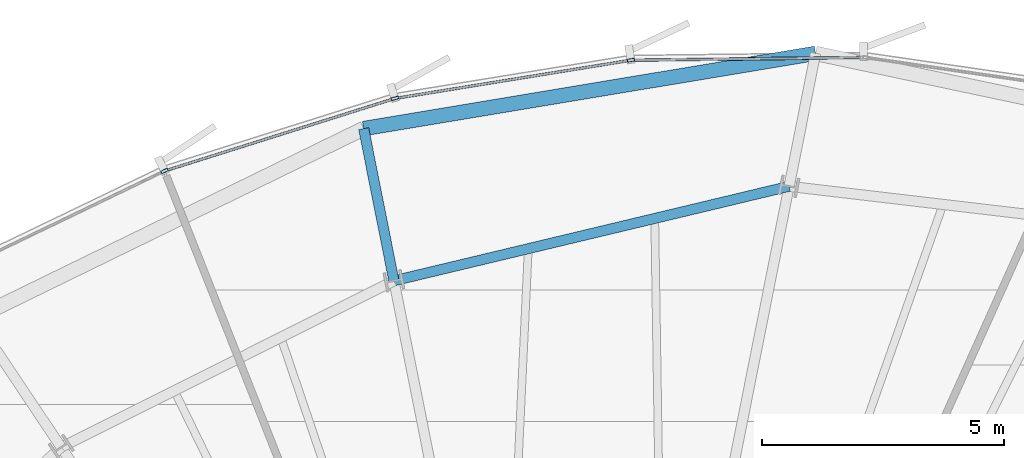
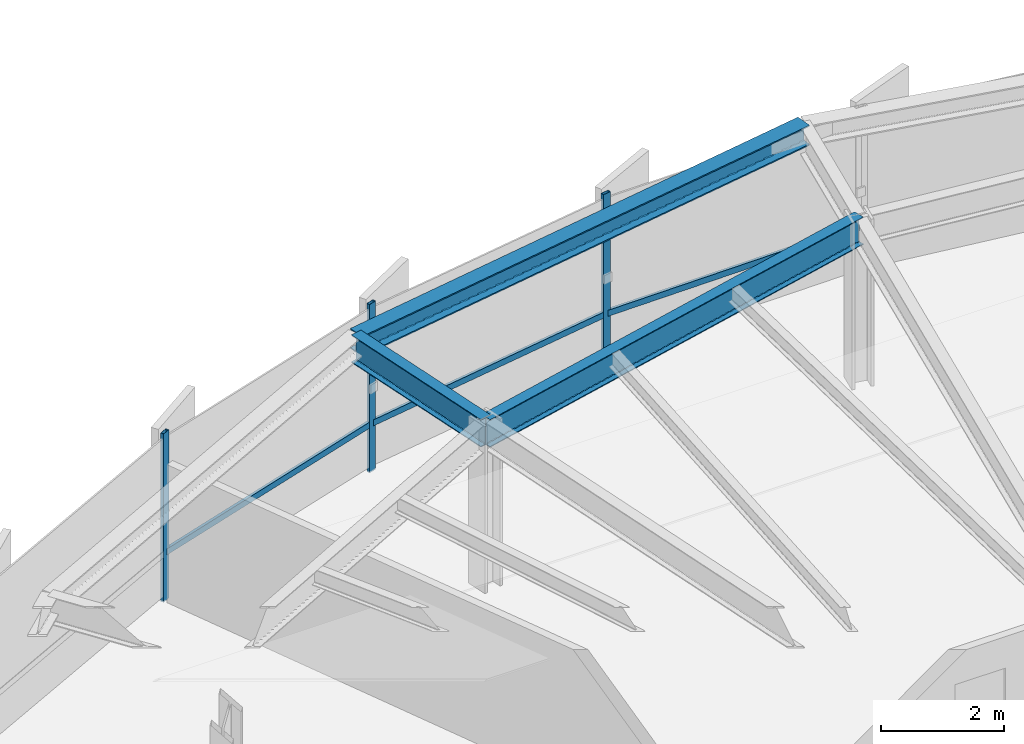
# One storey, part 21 of 35: 6 members, 3 beams, 1 element without a shape of its own.
"""IFC4 building model written with IfcOpenShell, lengths in metres."""

from ifc_helpers import new_model, si_unit, direction, frame, origin, origin_2d, place, context, subcontext, project, spatial, hollow_rectangle, i_section, extrude, source, transform, mapped, material, layer, layer_set, material_profile, profile_set, type_object, element, aggregate, save


model = new_model("IFC4")

# Units and contexts
model_context = context("Model", 3, precision=1e-05, world=origin(), true_north=direction((0.0, 1.0)))
body_context = subcontext(model_context, "Body", "Model", "MODEL_VIEW")
ifc_project = project(units=[si_unit("LENGTHUNIT", "METRE"), si_unit("AREAUNIT", "SQUARE_METRE"), si_unit("VOLUMEUNIT", "CUBIC_METRE"), si_unit("PLANEANGLEUNIT", "RADIAN"), si_unit("MASSUNIT", "GRAM", prefix="KILO"), si_unit("THERMODYNAMICTEMPERATUREUNIT", "KELVIN")], contexts=[model_context])

# Site, building, storey
site_placement = place(None, origin())
site = spatial("IfcSite", under=ifc_project, at=site_placement, CompositionType="ELEMENT")
building_placement = place(site_placement, origin())
building = spatial("IfcBuilding", under=site, at=building_placement, Name="Kethvar Cultural Tower", CompositionType="ELEMENT")
storey_placement = place(building_placement, frame((0.0, 0.0, 121.60009765625)))
storey = spatial("IfcBuildingStorey", under=building, at=storey_placement, Name="L30", CompositionType="ELEMENT", Elevation=121.60009765625)

# Beams
ifc_material_1 = material(Name="Steel S355J2", Category="steel")
ifc_material_profile_1 = material_profile(ifc_material_1, i_section(OverallWidth=0.2099609375, OverallDepth=0.550048828125, WebThickness=0.010986328125, FlangeThickness=0.01708984375, FilletRadius=0.02392578125, at=origin_2d()), Name="Steel S355J2 — IPE550")
ifc_profile_set_1 = profile_set([ifc_material_profile_1], Name="Steel S355J2 — IPE550")
beam_type_1 = type_object("IfcBeamType", Name="BM-IPE550", PredefinedType="BEAM", material=ifc_profile_set_1)
shared_shape_1 = source(origin(), body_context, "Body", "SweptSolid", [
    extrude(i_section(OverallWidth=0.2099609375, OverallDepth=0.550048828125, WebThickness=0.010986328125, FlangeThickness=0.01708984375, FilletRadius=0.02392578125, at=origin_2d()), origin(), (0.0, 0.0, 1.0), 3.199951171875),
])
beam_1_placement = place(storey_placement, frame((42.9189453125, 47.311279296875, 3.072998046875), z_axis=(-0.195088965533, 0.980785550224, 0.0), x_axis=(-0.980785550224, -0.195088965533, 0.0)))
element("IfcBeam", 1, at=beam_1_placement, inside=storey, type_object=beam_type_1, Name="L30 Perimeter Cantilever Beam RC-05", PredefinedType="BEAM", context=body_context, shape_type="MappedRepresentation", body=[
    mapped(shared_shape_1, transform((0.0, 0.0, 0.0), scale=1.0)),
])
shared_shape_2 = source(origin(), body_context, "Body", "SweptSolid", [
    extrude(i_section(OverallWidth=0.2099609375, OverallDepth=0.550048828125, WebThickness=0.010986328125, FlangeThickness=0.01708984375, FilletRadius=0.02392578125, at=origin_2d()), origin(), (0.0, 0.0, 1.0), 8.379150390625),
])
beam_2_placement = place(storey_placement, frame((51.068603515625, 49.25927734375, 3.072998046875), z_axis=(-0.972601380857, -0.232479147355, 0.0), x_axis=(0.232479147355, -0.972601380857, 0.0)))
element("IfcBeam", 2, at=beam_2_placement, inside=storey, type_object=beam_type_1, Name="L30 Column Ring Tie Beam CR-04", PredefinedType="BEAM", context=body_context, shape_type="MappedRepresentation", body=[
    mapped(shared_shape_2, transform((0.0, 0.0, 0.0), scale=1.0)),
])
ifc_material_profile_2 = material_profile(ifc_material_1, i_section(OverallWidth=0.300048828125, OverallDepth=0.39990234375, WebThickness=0.013427734375, FlangeThickness=0.02392578125, FilletRadius=0.027099609375, at=origin_2d()), Name="Steel S355J2 — HEB400")
ifc_profile_set_2 = profile_set([ifc_material_profile_2], Name="Steel S355J2 — HEB400")
beam_type_2 = type_object("IfcBeamType", Name="BM-SP400", PredefinedType="SPANDREL", material=ifc_profile_set_2)
shared_shape_3 = source(origin(), body_context, "Body", "SweptSolid", [
    extrude(i_section(OverallWidth=0.300048828125, OverallDepth=0.39990234375, WebThickness=0.013427734375, FlangeThickness=0.02392578125, FilletRadius=0.027099609375, at=origin_2d()), origin(), (0.0, 0.0, 1.0), 9.44775390625),
])
beam_3_placement = place(storey_placement, frame((51.614013671875, 52.00146484375, 3.14794921875), z_axis=(-0.986419055309, -0.164248127306, 0.0), x_axis=(0.164248127306, -0.986419055309, 0.0)))
element("IfcBeam", 3, at=beam_3_placement, inside=storey, type_object=beam_type_2, Name="L30 Perimeter Spandrel Beam SP-04", PredefinedType="SPANDREL", context=body_context, shape_type="MappedRepresentation", body=[
    mapped(shared_shape_3, transform((0.0, 0.0, 0.0), scale=1.0)),
])

# Curtain wall, members
ifc_material_2 = material(Name="Aluminium 6063-T6", Category="aluminium")
ifc_layer = layer(ifc_material_2, 0.179931640625, Name="Aluminium 6063-T6", Category="aluminium")
ifc_layer_set = layer_set([ifc_layer], Name="Aluminium 6063-T6 (180 mm)")
curtain_wall_type = type_object("IfcCurtainWallType", Name="CW-SYS-03-Z2", PredefinedType="NOTDEFINED", material=ifc_layer_set)
curtain_wall_placement = place(storey_placement, origin())
curtain_wall = element("IfcCurtainWall", 4, at=curtain_wall_placement, inside=storey, type_object=curtain_wall_type, Name="L30 Curtain Wall Run 02", PredefinedType="NOTDEFINED")
ifc_material_profile_3 = material_profile(ifc_material_2, hollow_rectangle(XDim=0.06005859375, YDim=0.14990234375, WallThickness=0.0048828125, at=origin_2d()), Name="Aluminium 6063-T6 — RHS150x60x5")
ifc_profile_set_3 = profile_set([ifc_material_profile_3], Name="Aluminium 6063-T6 — RHS150x60x5")
member_type_1 = type_object("IfcMemberType", Name="CW-SYS-03-Z2-MUL", PredefinedType="MULLION", material=ifc_profile_set_3)
shared_shape_4 = source(origin(), body_context, "Body", "SweptSolid", [
    extrude(hollow_rectangle(XDim=0.06005859375, YDim=0.14990234375, WallThickness=0.0048828125, at=origin_2d()), origin(), (0.0, 0.0, 1.0), 3.349853515625),
])
member_1_placement = place(storey_placement, frame((47.806396484375, 51.860595703125, 0.0), z_axis=(0.0, 0.0, 1.0), x_axis=(0.160070701302, -0.987105551896, 0.0)))
member_1 = element("IfcMember", 5, at=member_1_placement, type_object=member_type_1, Name="CW-L30-R02 Mullion 2", PredefinedType="MULLION", context=body_context, shape_type="MappedRepresentation", body=[
    mapped(shared_shape_4, transform((0.0, 0.0, 0.0), scale=1.0)),
])
member_2_placement = place(storey_placement, frame((42.93798828125, 51.072265625, 0.0), z_axis=(0.0, 0.0, 1.0), x_axis=(0.300655862589, -0.95373269436, 0.0)))
member_2 = element("IfcMember", 6, at=member_2_placement, type_object=member_type_1, Name="CW-L30-R02 Mullion 3", PredefinedType="MULLION", context=body_context, shape_type="MappedRepresentation", body=[
    mapped(shared_shape_4, transform((0.0, 0.0, 0.0), scale=1.0)),
])
member_3_placement = place(storey_placement, frame((38.187255859375, 49.57568359375, 0.0), z_axis=(0.0, 0.0, 1.0), x_axis=(0.433706264276, -0.90105431375, 0.0)))
member_3 = element("IfcMember", 7, at=member_3_placement, type_object=member_type_1, Name="CW-L30-R02 Mullion 4", PredefinedType="MULLION", context=body_context, shape_type="MappedRepresentation", body=[
    mapped(shared_shape_4, transform((0.0, 0.0, 0.0), scale=1.0)),
])
ifc_material_profile_4 = material_profile(ifc_material_2, hollow_rectangle(XDim=0.054931640625, YDim=0.1201171875, WallThickness=0.00390625, at=origin_2d()), Name="Aluminium 6063-T6 — RHS120x55x4")
ifc_profile_set_4 = profile_set([ifc_material_profile_4], Name="Aluminium 6063-T6 — RHS120x55x4")
member_type_2 = type_object("IfcMemberType", Name="CW-SYS-03-Z2-TRN", PredefinedType="USERDEFINED", material=ifc_profile_set_4)
shared_shape_5 = source(origin(), body_context, "Body", "SweptSolid", [
    extrude(hollow_rectangle(XDim=0.054931640625, YDim=0.1201171875, WallThickness=0.00390625, at=origin_2d()), origin(), (0.0, 0.0, 1.0), 4.768310546875),
])
member_4_placement = place(storey_placement, frame((52.600830078125, 51.916015625, 0.949951171875), z_axis=(-0.999930057055, -0.011827129707, 0.0), x_axis=(0.011827129707, -0.999930057055, 0.0)))
member_4 = element("IfcMember", 8, at=member_4_placement, type_object=member_type_2, Name="CW-L30-R02 Transom 1", ObjectType="TRANSOM", PredefinedType="USERDEFINED", context=body_context, shape_type="MappedRepresentation", body=[
    mapped(shared_shape_5, transform((0.0, 0.0, 0.0), scale=1.0)),
])
shared_shape_6 = source(origin(), body_context, "Body", "SweptSolid", [
    extrude(hollow_rectangle(XDim=0.054931640625, YDim=0.1201171875, WallThickness=0.00390625, at=origin_2d()), origin(), (0.0, 0.0, 1.0), 4.862060546875),
])
member_5_placement = place(storey_placement, frame((47.763916015625, 51.853515625, 0.949951171875), z_axis=(-0.9871037622, -0.160081737404, 0.0), x_axis=(0.160081737404, -0.9871037622, 0.0)))
member_5 = element("IfcMember", 9, at=member_5_placement, type_object=member_type_2, Name="CW-L30-R02 Transom 2", ObjectType="TRANSOM", PredefinedType="USERDEFINED", context=body_context, shape_type="MappedRepresentation", body=[
    mapped(shared_shape_6, transform((0.0, 0.0, 0.0), scale=1.0)),
])
shared_shape_7 = source(origin(), body_context, "Body", "SweptSolid", [
    extrude(hollow_rectangle(XDim=0.054931640625, YDim=0.1201171875, WallThickness=0.00390625, at=origin_2d()), origin(), (0.0, 0.0, 1.0), 4.910888671875),
])
member_6_placement = place(storey_placement, frame((42.89697265625, 51.05908203125, 0.949951171875), z_axis=(-0.953745564257, -0.300615033988, 0.0), x_axis=(0.300615033988, -0.953745564257, 0.0)))
member_6 = element("IfcMember", 10, at=member_6_placement, type_object=member_type_2, Name="CW-L30-R02 Transom 3", ObjectType="TRANSOM", PredefinedType="USERDEFINED", context=body_context, shape_type="MappedRepresentation", body=[
    mapped(shared_shape_7, transform((0.0, 0.0, 0.0), scale=1.0)),
])
aggregate(curtain_wall, [member_1, member_2, member_3, member_4, member_5, member_6])

save(model, "model.ifc")
